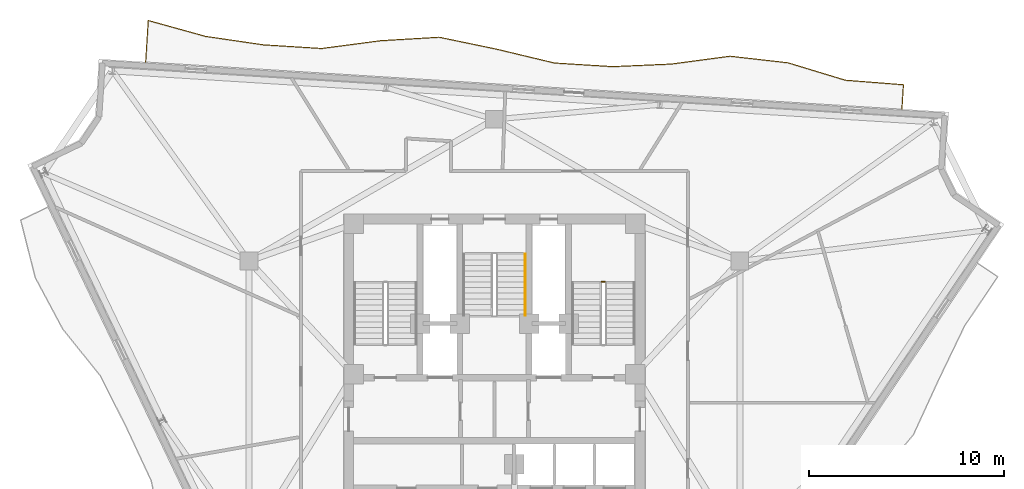
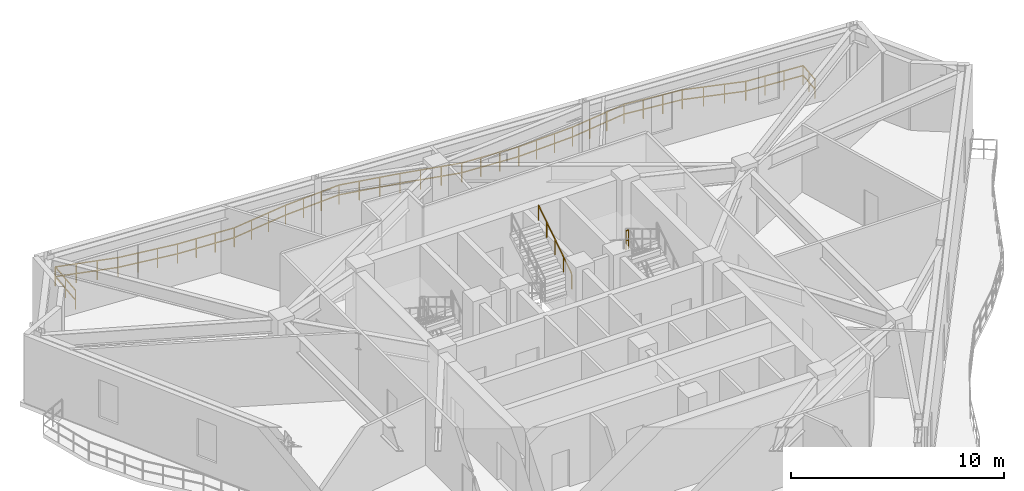
# One storey, part 11 of 11: 3 railings.
"""IFC4 building model written with IfcOpenShell, lengths in metres."""

from ifc_helpers import new_model, si_unit, direction, frame, origin, origin_2d, place, context, subcontext, project, spatial, rectangle, extrude, material, type_object, element, save


model = new_model("IFC4")

# Units and contexts
model_context = context("Model", 3, precision=1e-05, world=origin(), true_north=direction((0.0, 1.0)))
body_context = subcontext(model_context, "Body", "Model", "MODEL_VIEW")
ifc_project = project(units=[si_unit("LENGTHUNIT", "METRE"), si_unit("AREAUNIT", "SQUARE_METRE"), si_unit("VOLUMEUNIT", "CUBIC_METRE"), si_unit("PLANEANGLEUNIT", "RADIAN"), si_unit("MASSUNIT", "GRAM", prefix="KILO")], contexts=[model_context])

# Site, building, storey
site_placement = place(None, origin())
site = spatial("IfcSite", under=ifc_project, at=site_placement, CompositionType="ELEMENT")
building_placement = place(site_placement, origin())
building = spatial("IfcBuilding", under=site, at=building_placement, Name="Apsidion Concourse Tower", CompositionType="ELEMENT")
storey_placement = place(building_placement, frame((0.0, 0.0, 306.5)))
storey = spatial("IfcBuildingStorey", under=building, at=storey_placement, Name="L72", CompositionType="ELEMENT", Elevation=306.5)

# Railings
ifc_material = material(Name="Brushed stainless steel 316", Category="steel")
railing_type_1 = type_object("IfcRailingType", Name="RL-BAL-1120", PredefinedType="BALUSTRADE", material=ifc_material)
railing_1_placement = place(storey_placement, frame((-17.848388671875, 17.43896484375, 0.0)))
element("IfcRailing", 1, at=railing_1_placement, inside=storey, type_object=railing_type_1, Name="L72 Face 3 Rippling Balcony Balustrade", PredefinedType="BALUSTRADE", context=body_context, shape_type="SweptSolid", body=[
    extrude(rectangle(XDim=0.048095703125, YDim=0.048095703125, at=origin_2d()), frame((0.0, 0.0, 1.09619140625), z_axis=(0.062213922713, 0.998062837611, 0.0), x_axis=(-0.998062837611, 0.062213922713, 0.0)), (0.0, 0.0, 1.0), 2.126953125),
    extrude(rectangle(XDim=0.048095703125, YDim=0.048095703125, at=origin_2d()), frame((0.0, 0.0, 0.5361328125), z_axis=(0.062213922713, 0.998062837611, 0.0), x_axis=(-0.998062837611, 0.062213922713, 0.0)), (0.0, 0.0, 1.0), 2.126953125),
    extrude(rectangle(XDim=0.048095703125, YDim=0.048095703125, at=origin_2d()), frame((0.13232421875, 2.122802734375, 1.09619140625), z_axis=(0.96376645304, -0.266747491074, 0.0), x_axis=(0.266747491074, 0.96376645304, 0.0)), (0.0, 0.0, 1.0), 3.048583984375),
    extrude(rectangle(XDim=0.048095703125, YDim=0.048095703125, at=origin_2d()), frame((0.13232421875, 2.122802734375, 0.5361328125), z_axis=(0.96376645304, -0.266747491074, 0.0), x_axis=(0.266747491074, 0.96376645304, 0.0)), (0.0, 0.0, 1.0), 3.048583984375),
    extrude(rectangle(XDim=0.048095703125, YDim=0.048095703125, at=origin_2d()), frame((3.070556640625, 1.3095703125, 1.09619140625), z_axis=(0.989465908631, -0.144766072191, 0.0), x_axis=(0.144766072191, 0.989465908631, 0.0)), (0.0, 0.0, 1.0), 2.993408203125),
    extrude(rectangle(XDim=0.048095703125, YDim=0.048095703125, at=origin_2d()), frame((3.070556640625, 1.3095703125, 0.5361328125), z_axis=(0.989465908631, -0.144766072191, 0.0), x_axis=(0.144766072191, 0.989465908631, 0.0)), (0.0, 0.0, 1.0), 2.993408203125),
    extrude(rectangle(XDim=0.048095703125, YDim=0.048095703125, at=origin_2d()), frame((6.032470703125, 0.876220703125, 1.09619140625), z_axis=(0.998063708354, -0.062199952304, 0.0), x_axis=(0.062199952304, 0.998063708354, 0.0)), (0.0, 0.0, 1.0), 2.983154296875),
    extrude(rectangle(XDim=0.048095703125, YDim=0.048095703125, at=origin_2d()), frame((6.032470703125, 0.876220703125, 0.5361328125), z_axis=(0.998063708354, -0.062199952304, 0.0), x_axis=(0.062199952304, 0.998063708354, 0.0)), (0.0, 0.0, 1.0), 2.983154296875),
    extrude(rectangle(XDim=0.048095703125, YDim=0.048095703125, at=origin_2d()), frame((9.009765625, 0.690673828125, 1.09619140625), z_axis=(0.991425293768, 0.130674736954, 0.0), x_axis=(-0.130674736954, 0.991425293768, 0.0)), (0.0, 0.0, 1.0), 3.039794921875),
    extrude(rectangle(XDim=0.048095703125, YDim=0.048095703125, at=origin_2d()), frame((9.009765625, 0.690673828125, 0.5361328125), z_axis=(0.991425293768, 0.130674736954, 0.0), x_axis=(-0.130674736954, 0.991425293768, 0.0)), (0.0, 0.0, 1.0), 3.039794921875),
    extrude(rectangle(XDim=0.048095703125, YDim=0.048095703125, at=origin_2d()), frame((12.0234375, 1.087890625, 1.09619140625), z_axis=(0.998235216177, 0.059383947186, 0.0), x_axis=(-0.059383947186, 0.998235216177, 0.0)), (0.0, 0.0, 1.0), 3.00537109375),
    extrude(rectangle(XDim=0.048095703125, YDim=0.048095703125, at=origin_2d()), frame((12.0234375, 1.087890625, 0.5361328125), z_axis=(0.998235216177, 0.059383947186, 0.0), x_axis=(-0.059383947186, 0.998235216177, 0.0)), (0.0, 0.0, 1.0), 3.00537109375),
    extrude(rectangle(XDim=0.048095703125, YDim=0.048095703125, at=origin_2d()), frame((15.0234375, 1.266357421875, 1.09619140625), z_axis=(0.979072658234, -0.203511006825, 0.0), x_axis=(0.203511006825, 0.979072658234, 0.0)), (0.0, 0.0, 1.0), 3.013427734375),
    extrude(rectangle(XDim=0.048095703125, YDim=0.048095703125, at=origin_2d()), frame((15.0234375, 1.266357421875, 0.5361328125), z_axis=(0.979072658234, -0.203511006825, 0.0), x_axis=(0.203511006825, 0.979072658234, 0.0)), (0.0, 0.0, 1.0), 3.013427734375),
    extrude(rectangle(XDim=0.048095703125, YDim=0.048095703125, at=origin_2d()), frame((17.973876953125, 0.653076171875, 1.09619140625), z_axis=(0.972499153228, -0.232906412474, 0.0), x_axis=(0.232906412474, 0.972499153228, 0.0)), (0.0, 0.0, 1.0), 3.0283203125),
    extrude(rectangle(XDim=0.048095703125, YDim=0.048095703125, at=origin_2d()), frame((17.973876953125, 0.653076171875, 0.5361328125), z_axis=(0.972499153228, -0.232906412474, 0.0), x_axis=(0.232906412474, 0.972499153228, 0.0)), (0.0, 0.0, 1.0), 3.0283203125),
    extrude(rectangle(XDim=0.048095703125, YDim=0.048095703125, at=origin_2d()), frame((20.9189453125, -0.05224609375, 1.09619140625), z_axis=(0.998063708354, -0.062199952304, 0.0), x_axis=(0.062199952304, 0.998063708354, 0.0)), (0.0, 0.0, 1.0), 2.983154296875),
    extrude(rectangle(XDim=0.048095703125, YDim=0.048095703125, at=origin_2d()), frame((20.9189453125, -0.05224609375, 0.5361328125), z_axis=(0.998063708354, -0.062199952304, 0.0), x_axis=(0.062199952304, 0.998063708354, 0.0)), (0.0, 0.0, 1.0), 2.983154296875),
    extrude(rectangle(XDim=0.048095703125, YDim=0.048095703125, at=origin_2d()), frame((23.896240234375, -0.23779296875, 1.09619140625), z_axis=(0.999048156805, 0.043620870972, 0.0), x_axis=(-0.043620870972, 0.999048156805, 0.0)), (0.0, 0.0, 1.0), 3.0),
    extrude(rectangle(XDim=0.048095703125, YDim=0.048095703125, at=origin_2d()), frame((23.896240234375, -0.23779296875, 0.5361328125), z_axis=(0.999048156805, 0.043620870972, 0.0), x_axis=(-0.043620870972, 0.999048156805, 0.0)), (0.0, 0.0, 1.0), 3.0),
    extrude(rectangle(XDim=0.048095703125, YDim=0.048095703125, at=origin_2d()), frame((26.893310546875, -0.10693359375, 1.09619140625), z_axis=(0.991247526904, 0.132016439909, 0.0), x_axis=(-0.132016439909, 0.991247526904, 0.0)), (0.0, 0.0, 1.0), 3.040283203125),
    extrude(rectangle(XDim=0.048095703125, YDim=0.048095703125, at=origin_2d()), frame((26.893310546875, -0.10693359375, 0.5361328125), z_axis=(0.991247526904, 0.132016439909, 0.0), x_axis=(-0.132016439909, 0.991247526904, 0.0)), (0.0, 0.0, 1.0), 3.040283203125),
    extrude(rectangle(XDim=0.048095703125, YDim=0.048095703125, at=origin_2d()), frame((29.906982421875, 0.29443359375, 1.09619140625), z_axis=(0.993600460915, -0.112951866166, 0.0), x_axis=(0.112951866166, 0.993600460915, 0.0)), (0.0, 0.0, 1.0), 2.987060546875),
    extrude(rectangle(XDim=0.048095703125, YDim=0.048095703125, at=origin_2d()), frame((29.906982421875, 0.29443359375, 0.5361328125), z_axis=(0.993600460915, -0.112951866166, 0.0), x_axis=(0.112951866166, 0.993600460915, 0.0)), (0.0, 0.0, 1.0), 2.987060546875),
    extrude(rectangle(XDim=0.048095703125, YDim=0.048095703125, at=origin_2d()), frame((32.875, -0.04296875, 1.09619140625), z_axis=(0.956889668066, -0.290451653719, 0.0), x_axis=(0.290451653719, 0.956889668066, 0.0)), (0.0, 0.0, 1.0), 3.0654296875),
    extrude(rectangle(XDim=0.048095703125, YDim=0.048095703125, at=origin_2d()), frame((32.875, -0.04296875, 0.5361328125), z_axis=(0.956889668066, -0.290451653719, 0.0), x_axis=(0.290451653719, 0.956889668066, 0.0)), (0.0, 0.0, 1.0), 3.0654296875),
    extrude(rectangle(XDim=0.048095703125, YDim=0.048095703125, at=origin_2d()), frame((35.808349609375, -0.933349609375, 1.09619140625), z_axis=(0.996948125994, -0.078066856456, 0.0), x_axis=(0.078066856456, 0.996948125994, 0.0)), (0.0, 0.0, 1.0), 2.9833984375),
    extrude(rectangle(XDim=0.048095703125, YDim=0.048095703125, at=origin_2d()), frame((35.808349609375, -0.933349609375, 0.5361328125), z_axis=(0.996948125994, -0.078066856456, 0.0), x_axis=(0.078066856456, 0.996948125994, 0.0)), (0.0, 0.0, 1.0), 2.9833984375),
    extrude(rectangle(XDim=0.048095703125, YDim=0.048095703125, at=origin_2d()), frame((38.78271484375, -1.166259765625, 1.09619140625), z_axis=(-0.06230532804, -0.998057135688, 0.0), x_axis=(0.998057135688, -0.06230532804, 0.0)), (0.0, 0.0, 1.0), 1.25),
    extrude(rectangle(XDim=0.048095703125, YDim=0.048095703125, at=origin_2d()), frame((38.78271484375, -1.166259765625, 0.5361328125), z_axis=(-0.06230532804, -0.998057135688, 0.0), x_axis=(0.998057135688, -0.06230532804, 0.0)), (0.0, 0.0, 1.0), 1.25),
    extrude(rectangle(XDim=0.0419921875, YDim=0.0419921875, at=origin_2d()), origin(), (0.0, 0.0, 1.0), 1.072021484375),
    extrude(rectangle(XDim=0.0419921875, YDim=0.0419921875, at=origin_2d()), frame((0.066162109375, 1.0615234375, 0.0)), (0.0, 0.0, 1.0), 1.072021484375),
    extrude(rectangle(XDim=0.0419921875, YDim=0.0419921875, at=origin_2d()), frame((0.13232421875, 2.122802734375, 0.0)), (0.0, 0.0, 1.0), 1.072021484375),
    extrude(rectangle(XDim=0.0419921875, YDim=0.0419921875, at=origin_2d()), frame((1.11181640625, 1.851806640625, 0.0)), (0.0, 0.0, 1.0), 1.072021484375),
    extrude(rectangle(XDim=0.0419921875, YDim=0.0419921875, at=origin_2d()), frame((2.091064453125, 1.58056640625, 0.0)), (0.0, 0.0, 1.0), 1.072021484375),
    extrude(rectangle(XDim=0.0419921875, YDim=0.0419921875, at=origin_2d()), frame((3.070556640625, 1.3095703125, 0.0)), (0.0, 0.0, 1.0), 1.072021484375),
    extrude(rectangle(XDim=0.0419921875, YDim=0.0419921875, at=origin_2d()), frame((4.057861328125, 1.1650390625, 0.0)), (0.0, 0.0, 1.0), 1.072021484375),
    extrude(rectangle(XDim=0.0419921875, YDim=0.0419921875, at=origin_2d()), frame((5.045166015625, 1.020751953125, 0.0)), (0.0, 0.0, 1.0), 1.072021484375),
    extrude(rectangle(XDim=0.0419921875, YDim=0.0419921875, at=origin_2d()), frame((6.032470703125, 0.876220703125, 0.0)), (0.0, 0.0, 1.0), 1.072021484375),
    extrude(rectangle(XDim=0.0419921875, YDim=0.0419921875, at=origin_2d()), frame((7.02490234375, 0.814453125, 0.0)), (0.0, 0.0, 1.0), 1.072021484375),
    extrude(rectangle(XDim=0.0419921875, YDim=0.0419921875, at=origin_2d()), frame((8.017333984375, 0.75244140625, 0.0)), (0.0, 0.0, 1.0), 1.072021484375),
    extrude(rectangle(XDim=0.0419921875, YDim=0.0419921875, at=origin_2d()), frame((9.009765625, 0.690673828125, 0.0)), (0.0, 0.0, 1.0), 1.072021484375),
    extrude(rectangle(XDim=0.0419921875, YDim=0.0419921875, at=origin_2d()), frame((10.014404296875, 0.822998046875, 0.0)), (0.0, 0.0, 1.0), 1.072021484375),
    extrude(rectangle(XDim=0.0419921875, YDim=0.0419921875, at=origin_2d()), frame((11.018798828125, 0.95556640625, 0.0)), (0.0, 0.0, 1.0), 1.072021484375),
    extrude(rectangle(XDim=0.0419921875, YDim=0.0419921875, at=origin_2d()), frame((12.0234375, 1.087890625, 0.0)), (0.0, 0.0, 1.0), 1.072021484375),
    extrude(rectangle(XDim=0.0419921875, YDim=0.0419921875, at=origin_2d()), frame((13.0234375, 1.1474609375, 0.0)), (0.0, 0.0, 1.0), 1.072021484375),
    extrude(rectangle(XDim=0.0419921875, YDim=0.0419921875, at=origin_2d()), frame((14.0234375, 1.206787109375, 0.0)), (0.0, 0.0, 1.0), 1.072021484375),
    extrude(rectangle(XDim=0.0419921875, YDim=0.0419921875, at=origin_2d()), frame((15.0234375, 1.266357421875, 0.0)), (0.0, 0.0, 1.0), 1.072021484375),
    extrude(rectangle(XDim=0.0419921875, YDim=0.0419921875, at=origin_2d()), frame((16.0068359375, 1.06201171875, 0.0)), (0.0, 0.0, 1.0), 1.072021484375),
    extrude(rectangle(XDim=0.0419921875, YDim=0.0419921875, at=origin_2d()), frame((16.990478515625, 0.857421875, 0.0)), (0.0, 0.0, 1.0), 1.072021484375),
    extrude(rectangle(XDim=0.0419921875, YDim=0.0419921875, at=origin_2d()), frame((17.973876953125, 0.653076171875, 0.0)), (0.0, 0.0, 1.0), 1.072021484375),
    extrude(rectangle(XDim=0.0419921875, YDim=0.0419921875, at=origin_2d()), frame((18.95556640625, 0.41796875, 0.0)), (0.0, 0.0, 1.0), 1.072021484375),
    extrude(rectangle(XDim=0.0419921875, YDim=0.0419921875, at=origin_2d()), frame((19.937255859375, 0.182861328125, 0.0)), (0.0, 0.0, 1.0), 1.072021484375),
    extrude(rectangle(XDim=0.0419921875, YDim=0.0419921875, at=origin_2d()), frame((20.9189453125, -0.05224609375, 0.0)), (0.0, 0.0, 1.0), 1.072021484375),
    extrude(rectangle(XDim=0.0419921875, YDim=0.0419921875, at=origin_2d()), frame((21.911376953125, -0.114013671875, 0.0)), (0.0, 0.0, 1.0), 1.072021484375),
    extrude(rectangle(XDim=0.0419921875, YDim=0.0419921875, at=origin_2d()), frame((22.90380859375, -0.176025390625, 0.0)), (0.0, 0.0, 1.0), 1.072021484375),
    extrude(rectangle(XDim=0.0419921875, YDim=0.0419921875, at=origin_2d()), frame((23.896240234375, -0.23779296875, 0.0)), (0.0, 0.0, 1.0), 1.072021484375),
    extrude(rectangle(XDim=0.0419921875, YDim=0.0419921875, at=origin_2d()), frame((24.895263671875, -0.194091796875, 0.0)), (0.0, 0.0, 1.0), 1.072021484375),
    extrude(rectangle(XDim=0.0419921875, YDim=0.0419921875, at=origin_2d()), frame((25.894287109375, -0.150634765625, 0.0)), (0.0, 0.0, 1.0), 1.072021484375),
    extrude(rectangle(XDim=0.0419921875, YDim=0.0419921875, at=origin_2d()), frame((26.893310546875, -0.10693359375, 0.0)), (0.0, 0.0, 1.0), 1.072021484375),
    extrude(rectangle(XDim=0.0419921875, YDim=0.0419921875, at=origin_2d()), frame((27.89794921875, 0.02685546875, 0.0)), (0.0, 0.0, 1.0), 1.072021484375),
    extrude(rectangle(XDim=0.0419921875, YDim=0.0419921875, at=origin_2d()), frame((28.90234375, 0.16064453125, 0.0)), (0.0, 0.0, 1.0), 1.072021484375),
    extrude(rectangle(XDim=0.0419921875, YDim=0.0419921875, at=origin_2d()), frame((29.906982421875, 0.29443359375, 0.0)), (0.0, 0.0, 1.0), 1.072021484375),
    extrude(rectangle(XDim=0.0419921875, YDim=0.0419921875, at=origin_2d()), frame((30.896240234375, 0.181884765625, 0.0)), (0.0, 0.0, 1.0), 1.072021484375),
    extrude(rectangle(XDim=0.0419921875, YDim=0.0419921875, at=origin_2d()), frame((31.8857421875, 0.069580078125, 0.0)), (0.0, 0.0, 1.0), 1.072021484375),
    extrude(rectangle(XDim=0.0419921875, YDim=0.0419921875, at=origin_2d()), frame((32.875, -0.04296875, 0.0)), (0.0, 0.0, 1.0), 1.072021484375),
    extrude(rectangle(XDim=0.0419921875, YDim=0.0419921875, at=origin_2d()), frame((33.852783203125, -0.33984375, 0.0)), (0.0, 0.0, 1.0), 1.072021484375),
    extrude(rectangle(XDim=0.0419921875, YDim=0.0419921875, at=origin_2d()), frame((34.83056640625, -0.636474609375, 0.0)), (0.0, 0.0, 1.0), 1.072021484375),
    extrude(rectangle(XDim=0.0419921875, YDim=0.0419921875, at=origin_2d()), frame((35.808349609375, -0.933349609375, 0.0)), (0.0, 0.0, 1.0), 1.072021484375),
    extrude(rectangle(XDim=0.0419921875, YDim=0.0419921875, at=origin_2d()), frame((36.7998046875, -1.010986328125, 0.0)), (0.0, 0.0, 1.0), 1.072021484375),
    extrude(rectangle(XDim=0.0419921875, YDim=0.0419921875, at=origin_2d()), frame((37.791259765625, -1.088623046875, 0.0)), (0.0, 0.0, 1.0), 1.072021484375),
    extrude(rectangle(XDim=0.0419921875, YDim=0.0419921875, at=origin_2d()), frame((38.78271484375, -1.166259765625, 0.0)), (0.0, 0.0, 1.0), 1.072021484375),
    extrude(rectangle(XDim=0.0419921875, YDim=0.0419921875, at=origin_2d()), frame((38.74365234375, -1.7900390625, 0.0)), (0.0, 0.0, 1.0), 1.072021484375),
    extrude(rectangle(XDim=0.0419921875, YDim=0.0419921875, at=origin_2d()), frame((38.704833984375, -2.413818359375, 0.0)), (0.0, 0.0, 1.0), 1.072021484375),
])
railing_type_2 = type_object("IfcRailingType", Name="RL-GUARD-1100", PredefinedType="GUARDRAIL", material=ifc_material)
railing_2_placement = place(storey_placement, frame((5.64990234375, 6.18505859375, 2.050048828125)))
element("IfcRailing", 2, at=railing_2_placement, inside=storey, type_object=railing_type_2, Name="L72 ST2 stair guard 2", PredefinedType="GUARDRAIL", context=body_context, shape_type="SweptSolid", body=[
    extrude(rectangle(XDim=0.048095703125, YDim=0.048095703125, at=origin_2d()), frame((0.0, 0.0, 1.09619140625), z_axis=(-1.0, 0.0, 0.0), x_axis=(0.0, -1.0, 0.0)), (0.0, 0.0, 1.0), 0.14990234375),
    extrude(rectangle(XDim=0.048095703125, YDim=0.048095703125, at=origin_2d()), frame((0.0, 0.0, 0.5361328125), z_axis=(-1.0, 0.0, 0.0), x_axis=(0.0, -1.0, 0.0)), (0.0, 0.0, 1.0), 0.14990234375),
    extrude(rectangle(XDim=0.0419921875, YDim=0.0419921875, at=origin_2d()), origin(), (0.0, 0.0, 1.0), 1.072021484375),
    extrude(rectangle(XDim=0.0419921875, YDim=0.0419921875, at=origin_2d()), frame((-0.14990234375, 0.0, 0.0)), (0.0, 0.0, 1.0), 1.072021484375),
])
railing_type_3 = type_object("IfcRailingType", Name="RL-HAND-900", PredefinedType="HANDRAIL", material=ifc_material)
railing_3_placement = place(storey_placement, frame((1.574951171875, 4.465087890625, 2.220947265625)))
element("IfcRailing", 3, at=railing_3_placement, inside=storey, type_object=railing_type_3, Name="L72 ST3 stair handrail 2", PredefinedType="HANDRAIL", context=body_context, shape_type="SweptSolid", body=[
    extrude(rectangle(XDim=0.048095703125, YDim=0.048095703125, at=origin_2d()), frame((0.0, 0.0, 0.8759765625), z_axis=(0.0, 0.836970762213, 0.547247606848), x_axis=(-1.0, 0.0, 0.0)), (0.0, 0.0, 1.0), 3.74560546875),
    extrude(rectangle(XDim=0.0419921875, YDim=0.0419921875, at=origin_2d()), origin(), (0.0, 0.0, 1.0), 0.851806640625),
    extrude(rectangle(XDim=0.0419921875, YDim=0.0419921875, at=origin_2d()), frame((0.0, 0.78369140625, 0.512451171875)), (0.0, 0.0, 1.0), 0.851806640625),
    extrude(rectangle(XDim=0.0419921875, YDim=0.0419921875, at=origin_2d()), frame((0.0, 1.5673828125, 1.02490234375)), (0.0, 0.0, 1.0), 0.851806640625),
    extrude(rectangle(XDim=0.0419921875, YDim=0.0419921875, at=origin_2d()), frame((0.0, 2.351318359375, 1.537353515625)), (0.0, 0.0, 1.0), 0.851806640625),
    extrude(rectangle(XDim=0.0419921875, YDim=0.0419921875, at=origin_2d()), frame((0.0, 3.135009765625, 2.0498046875)), (0.0, 0.0, 1.0), 0.851806640625),
])

save(model, "model.ifc")
